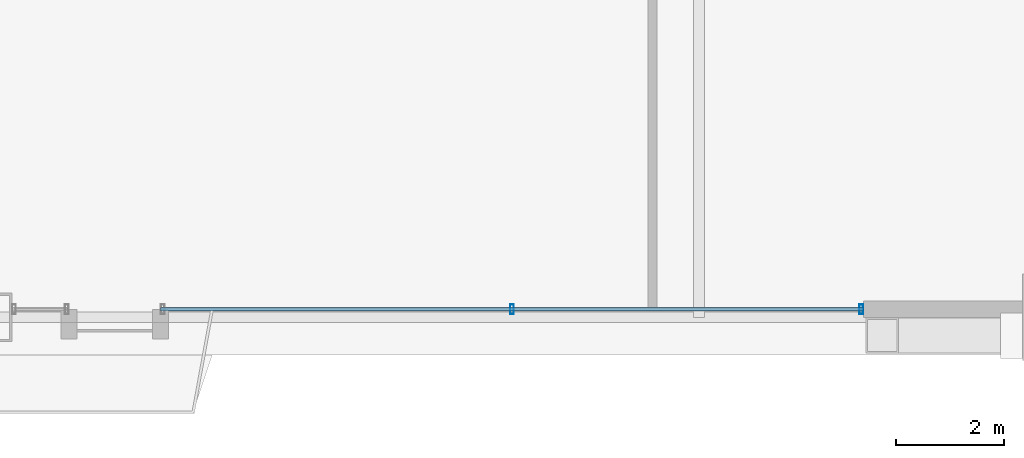
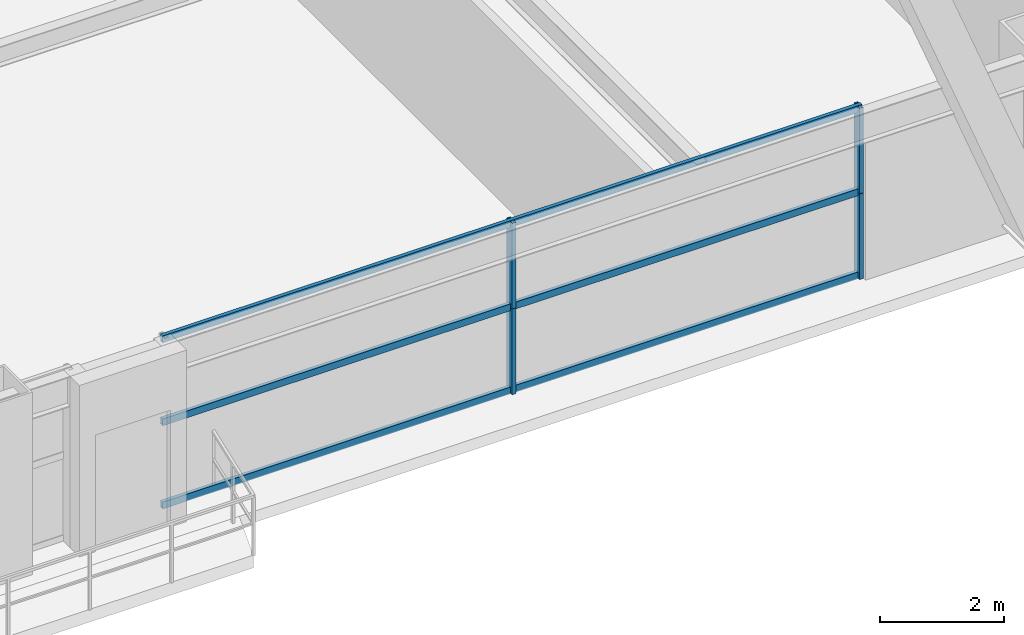
# One storey, part 14 of 41: 7 members, 1 element without a shape of its own.
"""IFC4 building model written with IfcOpenShell, lengths in metres."""

from ifc_helpers import new_model, si_unit, direction, frame, origin, origin_2d, place, context, subcontext, project, spatial, hollow_rectangle, extrude, source, transform, mapped, material, layer, layer_set, material_profile, profile_set, type_object, element, aggregate, save


model = new_model("IFC4")

# Units and contexts
model_context = context("Model", 3, precision=1e-05, world=origin(), true_north=direction((0.0, 1.0)))
body_context = subcontext(model_context, "Body", "Model", "MODEL_VIEW")
ifc_project = project(units=[si_unit("LENGTHUNIT", "METRE"), si_unit("AREAUNIT", "SQUARE_METRE"), si_unit("VOLUMEUNIT", "CUBIC_METRE"), si_unit("PLANEANGLEUNIT", "RADIAN"), si_unit("MASSUNIT", "GRAM", prefix="KILO"), si_unit("THERMODYNAMICTEMPERATUREUNIT", "KELVIN"), si_unit("POWERUNIT", "WATT")], contexts=[model_context])

# Site, building, storey
site_placement = place(None, origin())
site = spatial("IfcSite", under=ifc_project, at=site_placement, CompositionType="ELEMENT")
building_placement = place(site_placement, origin())
building = spatial("IfcBuilding", under=site, at=building_placement, Name="Yuzanri Waterfront Tower", CompositionType="ELEMENT")
storey_placement = place(building_placement, frame((0.0, 0.0, 115.39990234375)))
storey = spatial("IfcBuildingStorey", under=building, at=storey_placement, Name="L30", CompositionType="ELEMENT", Elevation=115.39990234375)

# Curtain wall, members
ifc_material_1 = material(Name="Anodized Architectural Bronze", Category="metal")
ifc_layer = layer(ifc_material_1, 0.159912109375)
ifc_layer_set = layer_set([ifc_layer], Name="Anodized Architectural Bronze")
curtain_wall_type = type_object("IfcCurtainWallType", Name="Anodized Bronze Hotel Upper-Tier Solar-Control Unitized Curtain Wall 7800", PredefinedType="NOTDEFINED", material=ifc_layer_set)
curtain_wall_placement = place(storey_placement, origin())
curtain_wall = element("IfcCurtainWall", 1, at=curtain_wall_placement, inside=storey, type_object=curtain_wall_type, Name="L30 Curtain Wall CW-L30-SR2", PredefinedType="NOTDEFINED")
ifc_material_2 = material(Name="Anodized Architectural Bronze", Category="metal")
ifc_material_profile_1 = material_profile(ifc_material_2, hollow_rectangle(XDim=0.070068359375, YDim=0.179931640625, WallThickness=0.00390625, at=origin_2d()), Name="CWM 70x180")
ifc_profile_set_1 = profile_set([ifc_material_profile_1], Name="Anodized Architectural Bronze")
member_type_1 = type_object("IfcMemberType", Name="Anodized Bronze Standard Curtain-Wall Mullion 70x180", PredefinedType="MULLION", material=ifc_profile_set_1)
shared_shape_1 = source(origin(), body_context, "Body", "SweptSolid", [
    extrude(hollow_rectangle(XDim=0.070068359375, YDim=0.179931640625, WallThickness=0.00390625, at=origin_2d()), origin(), (0.0, 0.0, 1.0), 1.68798828125),
])
member_1_placement = place(storey_placement, frame((46.72900390625, 2.35009765625, 0.0), z_axis=(0.0, 0.0, 1.0), x_axis=(1.0, 0.0, 0.0)))
member_1 = element("IfcMember", 2, at=member_1_placement, type_object=member_type_1, Name="CW-L30-SR2 Lower Mullion 01", PredefinedType="MULLION", context=body_context, shape_type="MappedRepresentation", body=[
    mapped(shared_shape_1, transform((0.0, 0.0, 0.0), scale=1.0)),
])
member_2_placement = place(storey_placement, frame((46.72900390625, 2.35009765625, 1.692138671875), z_axis=(0.0, 0.0, 1.0), x_axis=(1.0, 0.0, 0.0)))
member_2 = element("IfcMember", 3, at=member_2_placement, type_object=member_type_1, Name="CW-L30-SR2 Upper Mullion 01", PredefinedType="MULLION", context=body_context, shape_type="MappedRepresentation", body=[
    mapped(shared_shape_1, transform((0.0, 0.0, 0.0), scale=1.0)),
])
member_3_placement = place(storey_placement, frame((53.2099609375, 2.35009765625, 0.0), z_axis=(0.0, 0.0, 1.0), x_axis=(1.0, 0.0, 0.0)))
member_3 = element("IfcMember", 4, at=member_3_placement, type_object=member_type_1, Name="CW-L30-SR2 Lower Mullion 02", PredefinedType="MULLION", context=body_context, shape_type="MappedRepresentation", body=[
    mapped(shared_shape_1, transform((0.0, 0.0, 0.0), scale=1.0)),
])
member_4_placement = place(storey_placement, frame((53.2099609375, 2.35009765625, 1.692138671875), z_axis=(0.0, 0.0, 1.0), x_axis=(1.0, 0.0, 0.0)))
member_4 = element("IfcMember", 5, at=member_4_placement, type_object=member_type_1, Name="CW-L30-SR2 Upper Mullion 02", PredefinedType="MULLION", context=body_context, shape_type="MappedRepresentation", body=[
    mapped(shared_shape_1, transform((0.0, 0.0, 0.0), scale=1.0)),
])
ifc_material_3 = material(Name="Anodized Architectural Bronze", Category="metal")
ifc_material_profile_2 = material_profile(ifc_material_3, hollow_rectangle(XDim=0.070068359375, YDim=0.135009765625, WallThickness=0.00341796875, at=origin_2d()), Name="CWT 70x135")
ifc_profile_set_2 = profile_set([ifc_material_profile_2], Name="Anodized Architectural Bronze")
member_type_2 = type_object("IfcMemberType", Name="Anodized Bronze Standard Curtain-Wall Transom 70x135", PredefinedType="USERDEFINED", material=ifc_profile_set_2)
shared_shape_2 = source(origin(), body_context, "Body", "SweptSolid", [
    extrude(hollow_rectangle(XDim=0.070068359375, YDim=0.135009765625, WallThickness=0.00341796875, at=origin_2d()), origin(), (0.0, 0.0, 1.0), 13.0419921875),
])
member_5_placement = place(storey_placement, frame((40.2080078125, 2.35009765625, 0.050048828125), z_axis=(1.0, 0.0, 0.0), x_axis=(0.0, 1.0, 0.0)))
member_5 = element("IfcMember", 6, at=member_5_placement, type_object=member_type_2, Name="CW-L30-SR2 Transom 1", ObjectType="TRANSOM", PredefinedType="USERDEFINED", context=body_context, shape_type="MappedRepresentation", body=[
    mapped(shared_shape_2, transform((0.0, 0.0, 0.0), scale=1.0)),
])
member_6_placement = place(storey_placement, frame((40.2080078125, 2.35009765625, 1.690185546875), z_axis=(1.0, 0.0, 0.0), x_axis=(0.0, 1.0, 0.0)))
member_6 = element("IfcMember", 7, at=member_6_placement, type_object=member_type_2, Name="CW-L30-SR2 Transom 2", ObjectType="TRANSOM", PredefinedType="USERDEFINED", context=body_context, shape_type="MappedRepresentation", body=[
    mapped(shared_shape_2, transform((0.0, 0.0, 0.0), scale=1.0)),
])
member_7_placement = place(storey_placement, frame((40.2080078125, 2.35009765625, 3.330078125), z_axis=(1.0, 0.0, 0.0), x_axis=(0.0, 1.0, 0.0)))
member_7 = element("IfcMember", 8, at=member_7_placement, type_object=member_type_2, Name="CW-L30-SR2 Transom 3", ObjectType="TRANSOM", PredefinedType="USERDEFINED", context=body_context, shape_type="MappedRepresentation", body=[
    mapped(shared_shape_2, transform((0.0, 0.0, 0.0), scale=1.0)),
])
aggregate(curtain_wall, [member_1, member_2, member_3, member_4, member_5, member_6, member_7])

save(model, "model.ifc")
